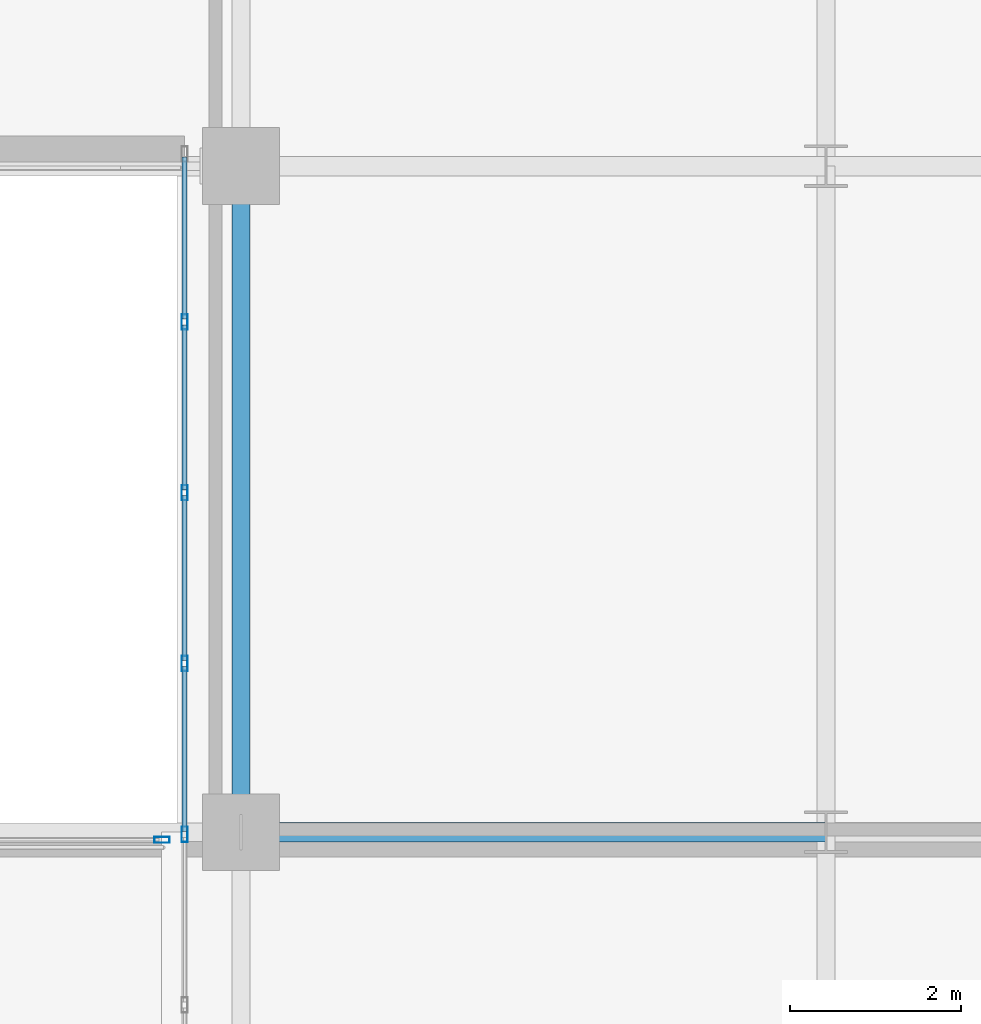
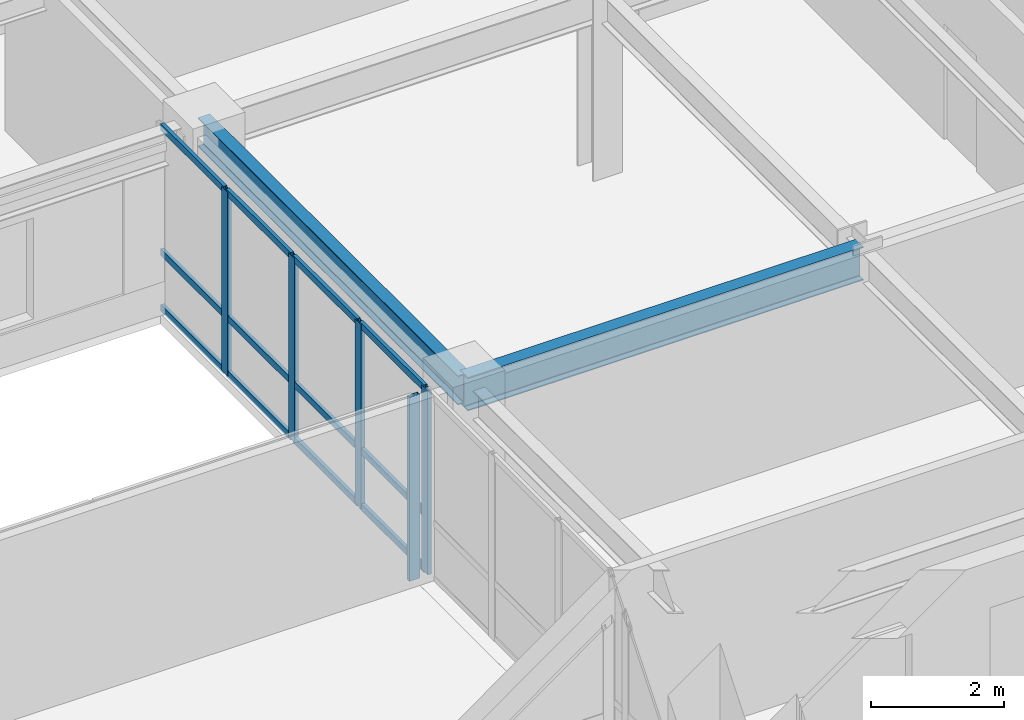
# One storey, part 10 of 31: 17 members, 2 beams, 2 elements without a shape of their own.
"""IFC4 building model written with IfcOpenShell, lengths in metres."""

import ifcopenshell
import ifcopenshell.guid

model = None  # the IFC model being written
_history = None  # IfcOwnerHistory: only IFC2X3 demands one
_inside = {}  # id of a spatial element -> (the spatial element, [elements in it])
_under = {}  # id of a project, library or spatial element -> (it, [spatial elements below it])
_declared = {}  # id of a project -> (the project, [libraries it declares])
_typed = {}  # id of a type object -> (the type object, [elements of that type])
_made_of = {}  # id of a material, layer set ... -> (it, [elements and type objects made of it])


def new_model(schema):
    """Start an empty IFC model of exactly this schema.

    Asked for "IFC4X3", IfcOpenShell would pick the latest addendum, in which some entities
    have other attributes; the version numbers below select the first issue.
    IFC2X3 requires an IfcOwnerHistory on every rooted entity: one is made here for all.
    """
    global model, _history
    if schema == "IFC4X3":
        model = ifcopenshell.file(schema_version=(4, 3, 0, 0))
    else:
        model = ifcopenshell.file(schema=schema)
    _inside.clear()
    _under.clear()
    _declared.clear()
    _typed.clear()
    _made_of.clear()
    _history = None
    if model.schema == "IFC2X3":
        org = make("IfcOrganization", Name="unknown")
        user = make(
            "IfcPersonAndOrganization",
            ThePerson=make("IfcPerson", FamilyName="unknown"),
            TheOrganization=org,
        )
        app = make(
            "IfcApplication",
            ApplicationDeveloper=org,
            Version="unknown",
            ApplicationFullName="unknown",
            ApplicationIdentifier="unknown",
        )
        _history = make(
            "IfcOwnerHistory",
            OwningUser=user,
            OwningApplication=app,
            ChangeAction="ADDED",
            CreationDate=0,
        )
    return model


def make(cls, **values):
    """One entity of the class cls with the attributes given. An attribute that is None is left unset."""
    return model.create_entity(
        cls, **{name: value for name, value in values.items() if value is not None}
    )


def rooted(cls, **values):
    """An entity with a GlobalId (a new one), such as an element, a storey or a relation."""
    return make(cls, GlobalId=ifcopenshell.guid.new(), OwnerHistory=_history, **values)


def si_unit(unit_type, name, prefix=None):
    """IfcSIUnit, for example si_unit("LENGTHUNIT", "METRE", prefix="MILLI")."""
    return make("IfcSIUnit", UnitType=unit_type, Prefix=prefix, Name=name)


def assignment(units):
    """IfcUnitAssignment: the units of a project."""
    return None if units is None else make("IfcUnitAssignment", Units=units)


def point(xyz):
    """IfcCartesianPoint."""
    return None if xyz is None else make("IfcCartesianPoint", Coordinates=xyz)


def direction(xyz):
    """IfcDirection."""
    return None if xyz is None else make("IfcDirection", DirectionRatios=xyz)


def frame(location, z_axis=None, x_axis=None):
    """IfcAxis2Placement3D, a coordinate frame: its origin and axes. An axis left out is left unset."""
    return make(
        "IfcAxis2Placement3D",
        Location=point(location),
        Axis=direction(z_axis),
        RefDirection=direction(x_axis),
    )


def frame_2d(location, x_axis=None):
    """IfcAxis2Placement2D, a coordinate frame in the plane: its origin and x axis."""
    return make(
        "IfcAxis2Placement2D", Location=point(location), RefDirection=direction(x_axis)
    )


def origin():
    """The frame at (0, 0, 0) with its axes left unset."""
    return frame((0.0, 0.0, 0.0))


def origin_2d():
    """The frame at (0, 0) in the plane with its x axis left unset."""
    return frame_2d((0.0, 0.0))


def place(relative_to, where):
    """IfcLocalPlacement: puts the frame where relative to a parent placement (None: the world)."""
    return make(
        "IfcLocalPlacement", PlacementRelTo=relative_to, RelativePlacement=where
    )


def context(
    kind, dimensions, precision=None, world=None, true_north=None, identifier=None
):
    """IfcGeometricRepresentationContext, for example the 3D "Model" context."""
    return make(
        "IfcGeometricRepresentationContext",
        ContextIdentifier=identifier,
        ContextType=kind,
        CoordinateSpaceDimension=dimensions,
        Precision=precision,
        WorldCoordinateSystem=world,
        TrueNorth=true_north,
    )


def subcontext(parent, identifier, kind, view, scale=None):
    """IfcGeometricRepresentationSubContext, for example "Body" below "Model"."""
    return make(
        "IfcGeometricRepresentationSubContext",
        ContextIdentifier=identifier,
        ContextType=kind,
        ParentContext=parent,
        TargetScale=scale,
        TargetView=view,
    )


def project(units=None, contexts=None):
    """IfcProject with its units and contexts."""
    return rooted(
        "IfcProject",
        Name="project",
        RepresentationContexts=contexts,
        UnitsInContext=assignment(units),
    )


def spatial(cls, under=None, at=None, **own):
    """A site, building, storey or space (cls), placed at a placement, below another one or the project."""
    s = rooted(cls, ObjectPlacement=at, **own)
    if under is not None:
        _under.setdefault(under.id(), (under, []))[1].append(s)
    return s


def profile(cls, at=None, kind="AREA", **sizes):
    """A parametric profile (cls). Its sizes go by their IFC names, for example OverallWidth=200.0."""
    return make(cls, ProfileType=kind, Position=at, **sizes)


def hollow_rectangle(**sizes):
    """IfcRectangleHollowProfileDef."""
    return profile("IfcRectangleHollowProfileDef", **sizes)


def i_section(**sizes):
    """IfcIShapeProfileDef."""
    return profile("IfcIShapeProfileDef", **sizes)


def extrude(swept, where, along, depth):
    """IfcExtrudedAreaSolid: the profile swept, set in the frame where, extruded along a direction by depth."""
    return make(
        "IfcExtrudedAreaSolid",
        SweptArea=swept,
        Position=where,
        ExtrudedDirection=direction(along),
        Depth=depth,
    )


def shape(context_of_items, identifier, shape_type, items):
    """IfcShapeRepresentation: the items that make up one representation, for example the "Body"."""
    return make(
        "IfcShapeRepresentation",
        ContextOfItems=context_of_items,
        RepresentationIdentifier=identifier,
        RepresentationType=shape_type,
        Items=items,
    )


def source(mapping_origin, context_of_items, identifier, shape_type, items):
    """IfcRepresentationMap: a shape defined once, which mapped items show again and again."""
    return make(
        "IfcRepresentationMap",
        MappingOrigin=mapping_origin,
        MappedRepresentation=shape(context_of_items, identifier, shape_type, items),
    )


def transform(
    local_origin,
    x_axis=None,
    y_axis=None,
    z_axis=None,
    scale=None,
    scale2=None,
    scale3=None,
    uniform=True,
):
    """IfcCartesianTransformationOperator3D, or its non-uniform kind. x_axis, y_axis, z_axis: its Axis1, 2, 3."""
    if uniform:
        return make(
            "IfcCartesianTransformationOperator3D",
            Axis1=direction(x_axis),
            Axis2=direction(y_axis),
            LocalOrigin=point(local_origin),
            Scale=scale,
            Axis3=direction(z_axis),
        )
    return make(
        "IfcCartesianTransformationOperator3DnonUniform",
        Axis1=direction(x_axis),
        Axis2=direction(y_axis),
        LocalOrigin=point(local_origin),
        Scale=scale,
        Axis3=direction(z_axis),
        Scale2=scale2,
        Scale3=scale3,
    )


def mapped(mapping_source, mapping_target):
    """IfcMappedItem: shows the shape of a source again, moved by a transform."""
    return make(
        "IfcMappedItem", MappingSource=mapping_source, MappingTarget=mapping_target
    )


def material(Name=None, Category=None):
    """IfcMaterial."""
    return make("IfcMaterial", Name=Name, Category=Category)


def layer(
    of_material, thickness, ventilated=None, Name=None, Category=None, Priority=None
):
    """IfcMaterialLayer: one layer of a wall or slab, of a material (None: an air gap)."""
    return make(
        "IfcMaterialLayer",
        Material=of_material,
        LayerThickness=thickness,
        IsVentilated=ventilated,
        Name=Name,
        Category=Category,
        Priority=Priority,
    )


def layer_set(layers, Name=None):
    """IfcMaterialLayerSet."""
    return make("IfcMaterialLayerSet", MaterialLayers=layers, LayerSetName=Name)


def material_profile(
    of_material, cross_section, Name=None, Category=None, Priority=None
):
    """IfcMaterialProfile: a cross section and its material."""
    return make(
        "IfcMaterialProfile",
        Name=Name,
        Material=of_material,
        Profile=cross_section,
        Priority=Priority,
        Category=Category,
    )


def profile_set(profiles, Name=None, composite=None):
    """IfcMaterialProfileSet."""
    return make(
        "IfcMaterialProfileSet",
        Name=Name,
        MaterialProfiles=profiles,
        CompositeProfile=composite,
    )


def made_of(thing, what):
    """Note that an element or type object is made of a material, layer set ...; save() writes the relation."""
    if what is not None:
        _made_of.setdefault(what.id(), (what, []))[1].append(thing)
    return thing


def type_object(cls, material=None, **own):
    """A type object (cls), such as IfcWallType, which elements share."""
    return made_of(rooted(cls, **own), material)


def type_shapes(of_type, sources):
    """Give a type object the sources (RepresentationMaps) that its elements show as mapped items."""
    of_type.RepresentationMaps = sources


def element(
    cls,
    number,
    at=None,
    inside=None,
    cuts=None,
    type_object=None,
    material=None,
    context=None,
    identifier="Body",
    shape_type=None,
    held_by="IfcProductDefinitionShape",
    body=None,
    shapes=None,
    **own,
):
    """One element of the class cls, such as IfcWall. Its Tag is "e" and its number.

    at: its placement. inside: the storey or other place that contains it. cuts: it is an
    opening in that element (IfcRelVoidsElement). A single representation is given by context,
    identifier, shape_type and body (its items); several are given by shapes. held_by: the class
    of the entity that holds the representations. save() writes the other relations.
    """
    e = rooted(cls, Tag="e%d" % number, ObjectPlacement=at, **own)
    if body is not None:
        shapes = [shape(context, identifier, shape_type, body)]
    if shapes is not None:
        e.Representation = make(held_by, Representations=shapes)
    if inside is not None:
        _inside.setdefault(inside.id(), (inside, []))[1].append(e)
    if cuts is not None:
        rooted(
            "IfcRelVoidsElement", RelatingBuildingElement=cuts, RelatedOpeningElement=e
        )
    if type_object is not None:
        _typed.setdefault(type_object.id(), (type_object, []))[1].append(e)
    return made_of(e, material)


def aggregate(whole, parts):
    """IfcRelAggregates: a whole, such as a stair, and the parts it consists of."""
    return rooted("IfcRelAggregates", RelatingObject=whole, RelatedObjects=parts)


def save(model, path):
    """Write the relations noted so far, then the file.

    IfcRelAggregates (storeys below a building ...), IfcRelContainedInSpatialStructure (elements
    in a storey), IfcRelDefinesByType, IfcRelAssociatesMaterial and IfcRelDeclares: one each for
    every whole, place, type object, material and project.
    """
    for whole, parts in _under.values():
        aggregate(whole, parts)
    for where, things in _inside.values():
        rooted(
            "IfcRelContainedInSpatialStructure",
            RelatedElements=things,
            RelatingStructure=where,
        )
    for kind, things in _typed.values():
        rooted("IfcRelDefinesByType", RelatedObjects=things, RelatingType=kind)
    for what, things in _made_of.values():
        rooted("IfcRelAssociatesMaterial", RelatedObjects=things, RelatingMaterial=what)
    for by, libraries in _declared.values():
        rooted("IfcRelDeclares", RelatingContext=by, RelatedDefinitions=libraries)
    model.write(path)


model = new_model("IFC4")

# Units and contexts
model_context = context("Model", 3, precision=1e-05, world=origin(), true_north=direction((0.0, 1.0)))
body_context = subcontext(model_context, "Body", "Model", "MODEL_VIEW")
ifc_project = project(units=[si_unit("LENGTHUNIT", "METRE"), si_unit("AREAUNIT", "SQUARE_METRE"), si_unit("VOLUMEUNIT", "CUBIC_METRE"), si_unit("PLANEANGLEUNIT", "RADIAN"), si_unit("MASSUNIT", "GRAM", prefix="KILO")], contexts=[model_context])

# Site, building, storey
site_placement = place(None, origin())
site = spatial("IfcSite", under=ifc_project, at=site_placement, CompositionType="ELEMENT")
building_placement = place(site_placement, origin())
building = spatial("IfcBuilding", under=site, at=building_placement, Name="Tolvann Quenvar Hotel", CompositionType="ELEMENT")
storey_placement = place(building_placement, frame((0.0, 0.0, 125.75)))
storey = spatial("IfcBuildingStorey", under=building, at=storey_placement, Name="L32", CompositionType="ELEMENT", Elevation=125.75)

# Beams
ifc_material_1 = material(Name="Steel Grade 350", Category="steel")
ifc_material_profile_1 = material_profile(ifc_material_1, i_section(OverallWidth=0.22900390625, OverallDepth=0.612060546875, WebThickness=0.011962890625, FlangeThickness=0.01953125, FilletRadius=0.013916015625, at=origin_2d()), Name="610UB125")
ifc_profile_set_1 = profile_set([ifc_material_profile_1], Name="Steel Grade 350")
beam_type_1 = type_object("IfcBeamType", Name="BM_GIRD_610UB125", PredefinedType="BEAM", material=ifc_profile_set_1)
shared_shape_1 = source(origin(), body_context, "Body", "SweptSolid", [
    extrude(i_section(OverallWidth=0.22900390625, OverallDepth=0.612060546875, WebThickness=0.011962890625, FlangeThickness=0.01953125, FilletRadius=0.013916015625, at=origin_2d()), origin(), (0.0, 0.0, 1.0), 6.85009765625),
])
type_shapes(beam_type_1, [shared_shape_1])
beam_1_placement = place(storey_placement, frame((34.949951171875, 8.199951171875, 3.06396484375), z_axis=(1.0, 0.0, 0.0), x_axis=(0.0, 1.0, 0.0)))
element("IfcBeam", 1, at=beam_1_placement, inside=storey, type_object=beam_type_1, Name="BM-L32-EW-3-F3-H3", PredefinedType="BEAM", context=body_context, shape_type="MappedRepresentation", body=[
    mapped(shared_shape_1, transform((0.0, 0.0, 0.0), x_axis=(1.0, 0.0, 0.0), y_axis=(0.0, 1.0, 0.0), z_axis=(0.0, 0.0, 1.0), scale=1.0)),
])
ifc_material_profile_2 = material_profile(ifc_material_1, i_section(OverallWidth=0.208984375, OverallDepth=0.532958984375, WebThickness=0.01025390625, FlangeThickness=0.015625, FilletRadius=0.013916015625, at=origin_2d()), Name="530UB92")
ifc_profile_set_2 = profile_set([ifc_material_profile_2], Name="Steel Grade 350")
beam_type_2 = type_object("IfcBeamType", Name="BM_GIRD_530UB92", PredefinedType="BEAM", material=ifc_profile_set_2)
shared_shape_2 = source(origin(), body_context, "Body", "SweptSolid", [
    extrude(i_section(OverallWidth=0.208984375, OverallDepth=0.532958984375, WebThickness=0.01025390625, FlangeThickness=0.015625, FilletRadius=0.013916015625, at=origin_2d()), origin(), (0.0, 0.0, 1.0), 7.800048828125),
])
type_shapes(beam_type_2, [shared_shape_2])
beam_2_placement = place(storey_placement, frame((34.949951171875, 8.199951171875, 3.103515625), z_axis=(0.0, 1.0, 0.0), x_axis=(-1.0, 0.0, 0.0)))
element("IfcBeam", 2, at=beam_2_placement, inside=storey, type_object=beam_type_2, Name="BM-L32-NS-F3-F4", PredefinedType="BEAM", context=body_context, shape_type="MappedRepresentation", body=[
    mapped(shared_shape_2, transform((0.0, 0.0, 0.0), x_axis=(1.0, 0.0, 0.0), y_axis=(0.0, 1.0, 0.0), z_axis=(0.0, 0.0, 1.0), scale=1.0)),
])

# Curtain wall, members
ifc_material_2 = material(Name="Thermally broken anodised architectural aluminium 6063-T6 and laminated low-E glass", Category="aluminium")
ifc_layer = layer(ifc_material_2, 0.179931640625)
ifc_layer_set = layer_set([ifc_layer], Name="Thermally broken anodised architectural aluminium 6063-T6 and laminated low-E glass")
curtain_wall_type = type_object("IfcCurtainWallType", Name="CW_SYS_SLOT_03", PredefinedType="USERDEFINED", material=ifc_layer_set)
curtain_wall_1_placement = place(storey_placement, origin())
curtain_wall_1 = element("IfcCurtainWall", 3, at=curtain_wall_1_placement, inside=storey, type_object=curtain_wall_type, Name="Curtain Wall CW-SLOT-03 (CWR-L32-E07)", ObjectType="UNITISED CURTAIN WALL", PredefinedType="USERDEFINED")
ifc_material_3 = material(Name="Anodised architectural aluminium 6063-T6 framing", Category="aluminium")
ifc_material_profile_3 = material_profile(ifc_material_3, hollow_rectangle(XDim=0.070068359375, YDim=0.179931640625, WallThickness=0.00390625, at=origin_2d()), Name="180x70x4RHS")
ifc_profile_set_3 = profile_set([ifc_material_profile_3], Name="Anodised architectural aluminium 6063-T6 framing")
member_type_1 = type_object("IfcMemberType", Name="CW_MULL_180x70", PredefinedType="MULLION", material=ifc_profile_set_3)
shared_shape_3 = source(origin(), body_context, "Body", "SweptSolid", [
    extrude(hollow_rectangle(XDim=0.070068359375, YDim=0.179931640625, WallThickness=0.00390625, at=origin_2d()), origin(), (0.0, 0.0, 1.0), 3.3701171875),
])
type_shapes(member_type_1, [shared_shape_3])
member_1_placement = place(storey_placement, frame((34.2900390625, 14.175048828125, 0.0), z_axis=(0.0, 0.0, 1.0), x_axis=(1.0, 0.0, 0.0)))
member_1 = element("IfcMember", 4, at=member_1_placement, type_object=member_type_1, Name="CW-SLOT-03 mullion 2", PredefinedType="MULLION", context=body_context, shape_type="MappedRepresentation", body=[
    mapped(shared_shape_3, transform((0.0, 0.0, 0.0), x_axis=(1.0, 0.0, 0.0), y_axis=(0.0, 1.0, 0.0), z_axis=(0.0, 0.0, 1.0), scale=1.0)),
])
member_2_placement = place(storey_placement, frame((34.2900390625, 12.175048828125, 0.0), z_axis=(0.0, 0.0, 1.0), x_axis=(1.0, 0.0, 0.0)))
member_2 = element("IfcMember", 5, at=member_2_placement, type_object=member_type_1, Name="CW-SLOT-03 mullion 3", PredefinedType="MULLION", context=body_context, shape_type="MappedRepresentation", body=[
    mapped(shared_shape_3, transform((0.0, 0.0, 0.0), x_axis=(1.0, 0.0, 0.0), y_axis=(0.0, 1.0, 0.0), z_axis=(0.0, 0.0, 1.0), scale=1.0)),
])
member_3_placement = place(storey_placement, frame((34.2900390625, 10.175048828125, 0.0), z_axis=(0.0, 0.0, 1.0), x_axis=(1.0, 0.0, 0.0)))
member_3 = element("IfcMember", 6, at=member_3_placement, type_object=member_type_1, Name="CW-SLOT-03 mullion 4", PredefinedType="MULLION", context=body_context, shape_type="MappedRepresentation", body=[
    mapped(shared_shape_3, transform((0.0, 0.0, 0.0), x_axis=(1.0, 0.0, 0.0), y_axis=(0.0, 1.0, 0.0), z_axis=(0.0, 0.0, 1.0), scale=1.0)),
])
member_4_placement = place(storey_placement, frame((34.2900390625, 8.175048828125, 0.0), z_axis=(0.0, 0.0, 1.0), x_axis=(1.0, 0.0, 0.0)))
member_4 = element("IfcMember", 7, at=member_4_placement, type_object=member_type_1, Name="CW-SLOT-03 mullion 5", PredefinedType="MULLION", context=body_context, shape_type="MappedRepresentation", body=[
    mapped(shared_shape_3, transform((0.0, 0.0, 0.0), x_axis=(1.0, 0.0, 0.0), y_axis=(0.0, 1.0, 0.0), z_axis=(0.0, 0.0, 1.0), scale=1.0)),
])

# Curtain wall, member
curtain_wall_2_placement = place(storey_placement, origin())
curtain_wall_2 = element("IfcCurtainWall", 8, at=curtain_wall_2_placement, inside=storey, type_object=curtain_wall_type, Name="Curtain Wall CW-SLOT-03 (CWR-BRG-L32-N)", ObjectType="UNITISED CURTAIN WALL", PredefinedType="USERDEFINED")
member_5_placement = place(storey_placement, frame((34.02490234375, 8.110107421875, 0.0), z_axis=(0.0, 0.0, 1.0), x_axis=(0.0, -1.0, 0.0)))
member_5 = element("IfcMember", 9, at=member_5_placement, type_object=member_type_1, Name="CW-SLOT-03 mullion 1", PredefinedType="MULLION", context=body_context, shape_type="MappedRepresentation", body=[
    mapped(shared_shape_3, transform((0.0, 0.0, 0.0), x_axis=(1.0, 0.0, 0.0), y_axis=(0.0, 1.0, 0.0), z_axis=(0.0, 0.0, 1.0), scale=1.0)),
])
aggregate(curtain_wall_2, [member_5])

# Member
ifc_material_profile_4 = material_profile(ifc_material_3, hollow_rectangle(XDim=0.06005859375, YDim=0.1201171875, WallThickness=0.00341796875, at=origin_2d()), Name="120x60x3.5RHS")
ifc_profile_set_4 = profile_set([ifc_material_profile_4], Name="Anodised architectural aluminium 6063-T6 framing")
member_type_2 = type_object("IfcMemberType", Name="CW_TRAN_120x60", PredefinedType="USERDEFINED", material=ifc_profile_set_4)
shared_shape_4 = source(origin(), body_context, "Body", "SweptSolid", [
    extrude(hollow_rectangle(XDim=0.06005859375, YDim=0.1201171875, WallThickness=0.00341796875, at=origin_2d()), origin(), (0.0, 0.0, 1.0), 1.929931640625),
])
member_6_placement = place(storey_placement, frame((34.2900390625, 14.139892578125, 0.030029296875), z_axis=(0.0, -1.0, 0.0), x_axis=(1.0, 0.0, 0.0)))
member_6 = element("IfcMember", 10, at=member_6_placement, type_object=member_type_2, Name="CW-SLOT-03 transom 2.1", ObjectType="TRANSOM", PredefinedType="USERDEFINED", context=body_context, shape_type="MappedRepresentation", body=[
    mapped(shared_shape_4, transform((0.0, 0.0, 0.0), x_axis=(1.0, 0.0, 0.0), y_axis=(0.0, 1.0, 0.0), z_axis=(0.0, 0.0, 1.0), scale=1.0)),
])

member_7_placement = place(storey_placement, frame((34.2900390625, 14.139892578125, 1.050048828125), z_axis=(0.0, -1.0, 0.0), x_axis=(1.0, 0.0, 0.0)))
member_7 = element("IfcMember", 11, at=member_7_placement, type_object=member_type_2, Name="CW-SLOT-03 transom 2.2", ObjectType="TRANSOM", PredefinedType="USERDEFINED", context=body_context, shape_type="MappedRepresentation", body=[
    mapped(shared_shape_4, transform((0.0, 0.0, 0.0), x_axis=(1.0, 0.0, 0.0), y_axis=(0.0, 1.0, 0.0), z_axis=(0.0, 0.0, 1.0), scale=1.0)),
])

member_8_placement = place(storey_placement, frame((34.2900390625, 14.139892578125, 3.340087890625), z_axis=(0.0, -1.0, 0.0), x_axis=(1.0, 0.0, 0.0)))
member_8 = element("IfcMember", 12, at=member_8_placement, type_object=member_type_2, Name="CW-SLOT-03 transom 2.3", ObjectType="TRANSOM", PredefinedType="USERDEFINED", context=body_context, shape_type="MappedRepresentation", body=[
    mapped(shared_shape_4, transform((0.0, 0.0, 0.0), x_axis=(1.0, 0.0, 0.0), y_axis=(0.0, 1.0, 0.0), z_axis=(0.0, 0.0, 1.0), scale=1.0)),
])

member_9_placement = place(storey_placement, frame((34.2900390625, 12.139892578125, 0.030029296875), z_axis=(0.0, -1.0, 0.0), x_axis=(1.0, 0.0, 0.0)))
member_9 = element("IfcMember", 13, at=member_9_placement, type_object=member_type_2, Name="CW-SLOT-03 transom 3.1", ObjectType="TRANSOM", PredefinedType="USERDEFINED", context=body_context, shape_type="MappedRepresentation", body=[
    mapped(shared_shape_4, transform((0.0, 0.0, 0.0), x_axis=(1.0, 0.0, 0.0), y_axis=(0.0, 1.0, 0.0), z_axis=(0.0, 0.0, 1.0), scale=1.0)),
])

member_10_placement = place(storey_placement, frame((34.2900390625, 12.139892578125, 1.050048828125), z_axis=(0.0, -1.0, 0.0), x_axis=(1.0, 0.0, 0.0)))
member_10 = element("IfcMember", 14, at=member_10_placement, type_object=member_type_2, Name="CW-SLOT-03 transom 3.2", ObjectType="TRANSOM", PredefinedType="USERDEFINED", context=body_context, shape_type="MappedRepresentation", body=[
    mapped(shared_shape_4, transform((0.0, 0.0, 0.0), x_axis=(1.0, 0.0, 0.0), y_axis=(0.0, 1.0, 0.0), z_axis=(0.0, 0.0, 1.0), scale=1.0)),
])

member_11_placement = place(storey_placement, frame((34.2900390625, 12.139892578125, 3.340087890625), z_axis=(0.0, -1.0, 0.0), x_axis=(1.0, 0.0, 0.0)))
member_11 = element("IfcMember", 15, at=member_11_placement, type_object=member_type_2, Name="CW-SLOT-03 transom 3.3", ObjectType="TRANSOM", PredefinedType="USERDEFINED", context=body_context, shape_type="MappedRepresentation", body=[
    mapped(shared_shape_4, transform((0.0, 0.0, 0.0), x_axis=(1.0, 0.0, 0.0), y_axis=(0.0, 1.0, 0.0), z_axis=(0.0, 0.0, 1.0), scale=1.0)),
])

member_12_placement = place(storey_placement, frame((34.2900390625, 10.139892578125, 0.030029296875), z_axis=(0.0, -1.0, 0.0), x_axis=(1.0, 0.0, 0.0)))
member_12 = element("IfcMember", 16, at=member_12_placement, type_object=member_type_2, Name="CW-SLOT-03 transom 4.1", ObjectType="TRANSOM", PredefinedType="USERDEFINED", context=body_context, shape_type="MappedRepresentation", body=[
    mapped(shared_shape_4, transform((0.0, 0.0, 0.0), x_axis=(1.0, 0.0, 0.0), y_axis=(0.0, 1.0, 0.0), z_axis=(0.0, 0.0, 1.0), scale=1.0)),
])

member_13_placement = place(storey_placement, frame((34.2900390625, 10.139892578125, 1.050048828125), z_axis=(0.0, -1.0, 0.0), x_axis=(1.0, 0.0, 0.0)))
member_13 = element("IfcMember", 17, at=member_13_placement, type_object=member_type_2, Name="CW-SLOT-03 transom 4.2", ObjectType="TRANSOM", PredefinedType="USERDEFINED", context=body_context, shape_type="MappedRepresentation", body=[
    mapped(shared_shape_4, transform((0.0, 0.0, 0.0), x_axis=(1.0, 0.0, 0.0), y_axis=(0.0, 1.0, 0.0), z_axis=(0.0, 0.0, 1.0), scale=1.0)),
])

member_14_placement = place(storey_placement, frame((34.2900390625, 10.139892578125, 3.340087890625), z_axis=(0.0, -1.0, 0.0), x_axis=(1.0, 0.0, 0.0)))
member_14 = element("IfcMember", 18, at=member_14_placement, type_object=member_type_2, Name="CW-SLOT-03 transom 4.3", ObjectType="TRANSOM", PredefinedType="USERDEFINED", context=body_context, shape_type="MappedRepresentation", body=[
    mapped(shared_shape_4, transform((0.0, 0.0, 0.0), x_axis=(1.0, 0.0, 0.0), y_axis=(0.0, 1.0, 0.0), z_axis=(0.0, 0.0, 1.0), scale=1.0)),
])

shared_shape_5 = source(origin(), body_context, "Body", "SweptSolid", [
    extrude(hollow_rectangle(XDim=0.06005859375, YDim=0.1201171875, WallThickness=0.00341796875, at=origin_2d()), origin(), (0.0, 0.0, 1.0), 1.89501953125),
])
type_shapes(member_type_2, [shared_shape_4, shared_shape_5])
member_15_placement = place(storey_placement, frame((34.2900390625, 16.10498046875, 0.030029296875), z_axis=(0.0, -1.0, 0.0), x_axis=(1.0, 0.0, 0.0)))
member_15 = element("IfcMember", 19, at=member_15_placement, type_object=member_type_2, Name="CW-SLOT-03 transom 1.1", ObjectType="TRANSOM", PredefinedType="USERDEFINED", context=body_context, shape_type="MappedRepresentation", body=[
    mapped(shared_shape_5, transform((0.0, 0.0, 0.0), x_axis=(1.0, 0.0, 0.0), y_axis=(0.0, 1.0, 0.0), z_axis=(0.0, 0.0, 1.0), scale=1.0)),
])

member_16_placement = place(storey_placement, frame((34.2900390625, 16.10498046875, 1.050048828125), z_axis=(0.0, -1.0, 0.0), x_axis=(1.0, 0.0, 0.0)))
member_16 = element("IfcMember", 20, at=member_16_placement, type_object=member_type_2, Name="CW-SLOT-03 transom 1.2", ObjectType="TRANSOM", PredefinedType="USERDEFINED", context=body_context, shape_type="MappedRepresentation", body=[
    mapped(shared_shape_5, transform((0.0, 0.0, 0.0), x_axis=(1.0, 0.0, 0.0), y_axis=(0.0, 1.0, 0.0), z_axis=(0.0, 0.0, 1.0), scale=1.0)),
])

member_17_placement = place(storey_placement, frame((34.2900390625, 16.10498046875, 3.340087890625), z_axis=(0.0, -1.0, 0.0), x_axis=(1.0, 0.0, 0.0)))
member_17 = element("IfcMember", 21, at=member_17_placement, type_object=member_type_2, Name="CW-SLOT-03 transom 1.3", ObjectType="TRANSOM", PredefinedType="USERDEFINED", context=body_context, shape_type="MappedRepresentation", body=[
    mapped(shared_shape_5, transform((0.0, 0.0, 0.0), x_axis=(1.0, 0.0, 0.0), y_axis=(0.0, 1.0, 0.0), z_axis=(0.0, 0.0, 1.0), scale=1.0)),
])

aggregate(curtain_wall_1, [member_1, member_2, member_3, member_4, member_15, member_16, member_17, member_6, member_7, member_8, member_9, member_10, member_11, member_12, member_13, member_14])

save(model, "model.ifc")
